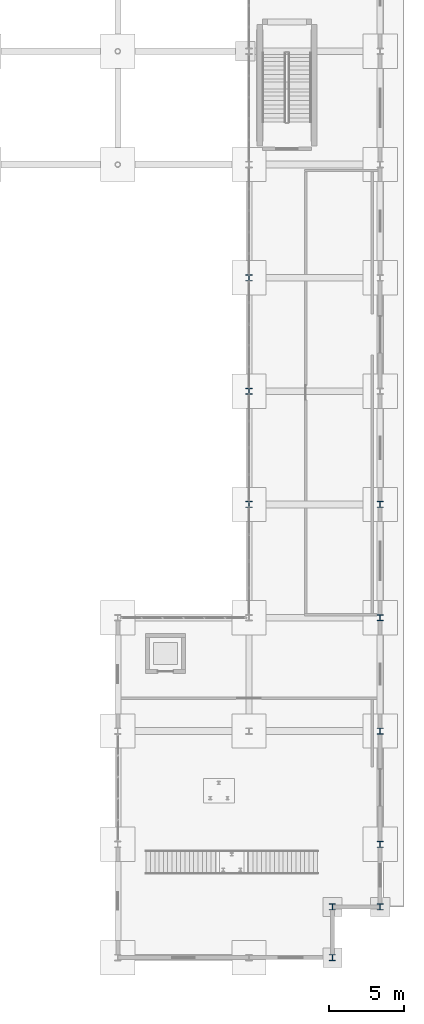
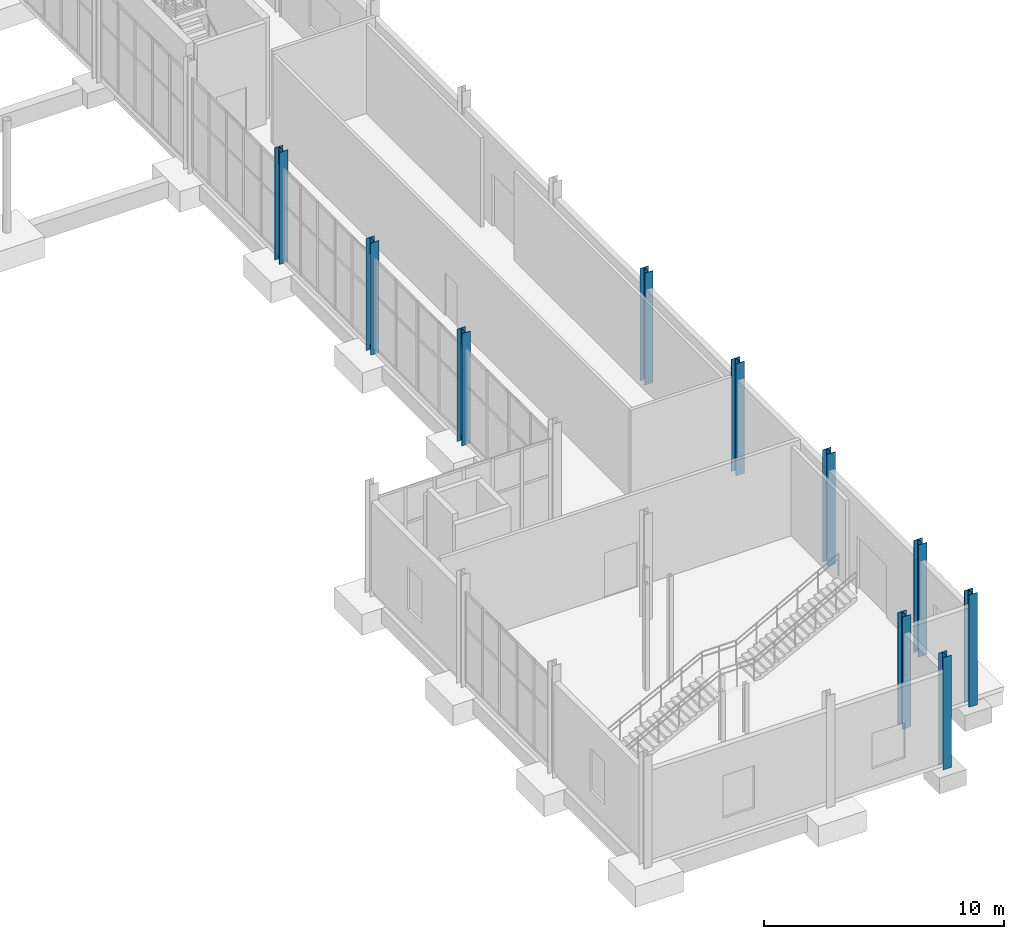
# One storey, part 17 of 95: 10 columns.
"""IFC4 building model written with IfcOpenShell, lengths in metres."""

from ifc_helpers import new_model, si_unit, direction, frame, origin, origin_2d, place, context, subcontext, project, spatial, i_section, extrude, material, material_profile, profile_set, type_object, element, save


model = new_model("IFC4")

# Units and contexts
model_context = context("Model", 3, precision=1e-05, world=origin(), true_north=direction((0.0, 1.0)))
body_context = subcontext(model_context, "Body", "Model", "MODEL_VIEW")
ifc_project = project(units=[si_unit("LENGTHUNIT", "METRE"), si_unit("AREAUNIT", "SQUARE_METRE"), si_unit("VOLUMEUNIT", "CUBIC_METRE"), si_unit("PLANEANGLEUNIT", "RADIAN"), si_unit("MASSUNIT", "GRAM", prefix="KILO")], contexts=[model_context])

# Site, building, storey
site_placement = place(None, origin())
site = spatial("IfcSite", under=ifc_project, at=site_placement, CompositionType="ELEMENT")
building_placement = place(site_placement, origin())
building = spatial("IfcBuilding", under=site, at=building_placement, Name="Shengluoqiao Park Theatre", CompositionType="ELEMENT")
storey_placement = place(building_placement, origin())
storey = spatial("IfcBuildingStorey", under=building, at=storey_placement, Name="L00", CompositionType="ELEMENT", Elevation=0.0)

# Columns
ifc_material = material(Name="Steel Q390", Category="steel")
ifc_material_profile = material_profile(ifc_material, i_section(OverallWidth=0.407958984375, OverallDepth=0.39990234375, WebThickness=0.02099609375, FlangeThickness=0.02099609375, FilletRadius=0.02197265625, at=origin_2d()), Name="HW 400x408x21x21")
ifc_profile_set = profile_set([ifc_material_profile], Name="Steel Q390")
column_type = type_object("IfcColumnType", Name="STR-COL-C-HW408", PredefinedType="COLUMN", material=ifc_profile_set)
for number, where, z_axis, x_axis, name in (
    (1, (157.199951171875, 30.39990234375, -0.300048828125), (0.0, 0.0, 1.0), (1.0, 0.0, 0.0), "L00 Column 0781"),
    (2, (157.199951171875, 38.0, -0.300048828125), (0.0, 0.0, 1.0), (1.0, 0.0, 0.0), "L00 Column 0784"),
    (3, (157.199951171875, 45.60009765625, -0.300048828125), (0.0, 0.0, 1.0), (1.0, 0.0, 0.0), "L00 Column 0787"),
    (4, (166.0, 7.60009765625, -0.300048828125), (0.0, 0.0, 1.0), (1.0, 0.0, 0.0), "L00 Column 0835"),
    (5, (166.0, 15.199951171875, -0.300048828125), (0.0, 0.0, 1.0), (1.0, 0.0, 0.0), "L00 Column 0838"),
    (6, (166.0, 22.800048828125, -0.300048828125), (0.0, 0.0, 1.0), (1.0, 0.0, 0.0), "L00 Column 0841"),
    (7, (166.0, 30.39990234375, -0.300048828125), (0.0, 0.0, 1.0), (1.0, 0.0, 0.0), "L00 Column 0844"),
    (8, (162.800048828125, 0.0, -0.300048828125), (0.0, 0.0, 1.0), (1.0, 0.0, 0.0), "L00 Corner Step Column 04"),
    (9, (162.800048828125, 3.39990234375, -0.300048828125), (0.0, 0.0, 1.0), (1.0, 0.0, 0.0), "L00 Corner Step Column 05"),
    (10, (166.0, 3.39990234375, -0.300048828125), (0.0, 0.0, 1.0), (1.0, 0.0, 0.0), "L00 Corner Step Column 06"),
):
    element("IfcColumn", number, at=place(storey_placement, frame(where, z_axis=z_axis, x_axis=x_axis)), inside=storey, type_object=column_type, Name=name, PredefinedType="COLUMN", context=body_context, shape_type="SweptSolid", body=[
        extrude(i_section(OverallWidth=0.407958984375, OverallDepth=0.39990234375, WebThickness=0.02099609375, FlangeThickness=0.02099609375, FilletRadius=0.02197265625, at=origin_2d()), origin(), (0.0, 0.0, 1.0), 5.699951171875),
    ])

save(model, "model.ifc")
